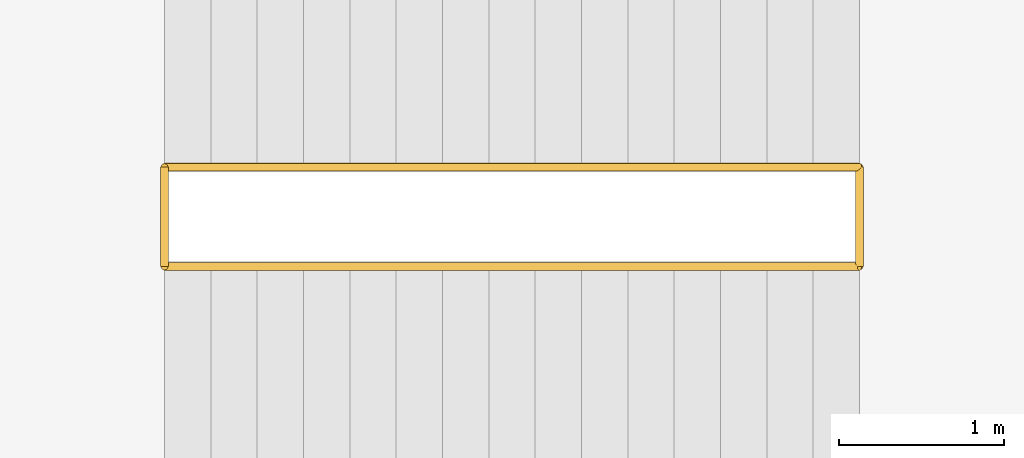
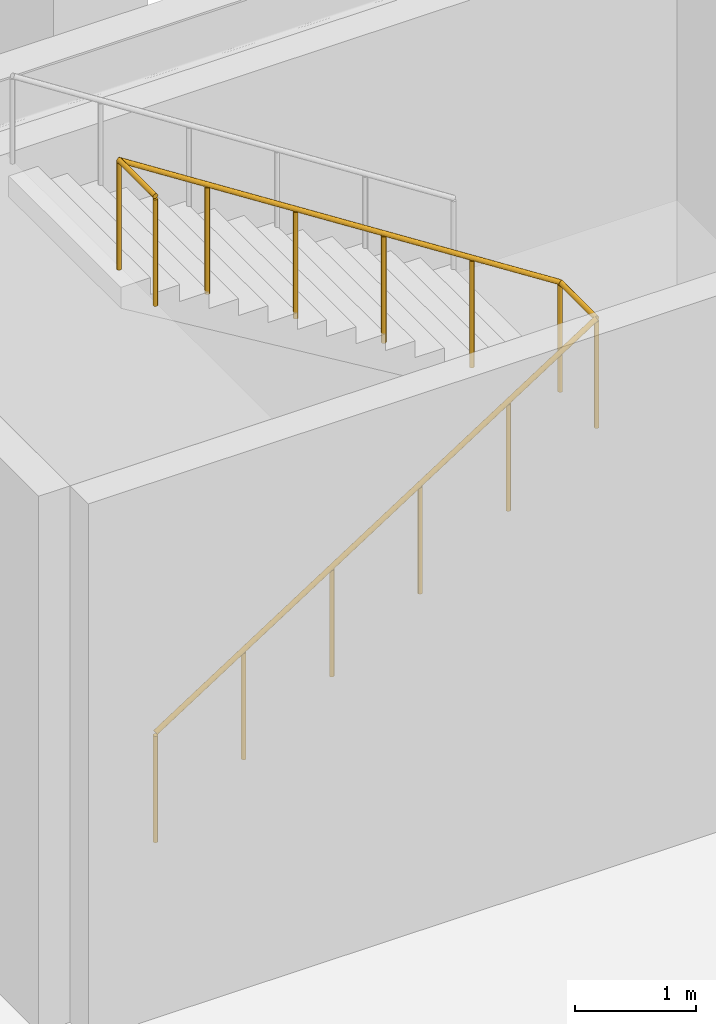
# One storey, part 157 of 159: 2 railings.
"""IFC4 building model written with IfcOpenShell, lengths in metres."""

from ifc_helpers import new_model, si_unit, derived_unit, direction, frame, origin, origin_2d, place, context, subcontext, project, spatial, circle, extrude, material, type_object, element, save


model = new_model("IFC4")

# Units and contexts
model_context = context("Model", 3, precision=1e-05, world=origin(), true_north=direction((0.0, 1.0)))
body_context = subcontext(model_context, "Body", "Model", "MODEL_VIEW")
ifc_project = project(units=[si_unit("LENGTHUNIT", "METRE"), si_unit("AREAUNIT", "SQUARE_METRE"), si_unit("VOLUMEUNIT", "CUBIC_METRE"), si_unit("PLANEANGLEUNIT", "RADIAN"), si_unit("MASSUNIT", "GRAM", prefix="KILO"), derived_unit("THERMALTRANSMITTANCEUNIT", [(si_unit("MASSUNIT", "GRAM", prefix="KILO"), 1), (si_unit("TIMEUNIT", "SECOND"), -3), (si_unit("THERMODYNAMICTEMPERATUREUNIT", "KELVIN"), -1)])], contexts=[model_context])

# Site, building, storey
site_placement = place(None, origin())
site = spatial("IfcSite", under=ifc_project, at=site_placement, CompositionType="ELEMENT")
building_placement = place(site_placement, origin())
building = spatial("IfcBuilding", under=site, at=building_placement, Name="Valcora Ridge Arena", CompositionType="ELEMENT")
storey_placement = place(building_placement, frame((0.0, 0.0, 6.0)))
storey = spatial("IfcBuildingStorey", under=building, at=storey_placement, Name="L01", CompositionType="ELEMENT", Elevation=6.0)

# Railings
ifc_material = material(Name="Galvanized painted steel ASTM A500 Grade B", Category="steel")
railing_type = type_object("IfcRailingType", Name="TY-RAILING-GRD-STAIR-1120", PredefinedType="GUARDRAIL", material=ifc_material)
railing_1_placement = place(storey_placement, frame((147.909912109375, 127.5, 0.0)))
element("IfcRailing", 1, at=railing_1_placement, inside=storey, type_object=railing_type, Name="GRD-STAIR-1120 RAL-SG-0085", PredefinedType="GUARDRAIL", context=body_context, shape_type="SweptSolid", body=[
    extrude(circle(Radius=0.02392578125, at=origin_2d()), frame((0.0, 0.0, 1.09619140625), z_axis=(0.841194361566, 0.0, 0.540732878665), x_axis=(0.0, 1.0, 0.0)), (0.0, 0.0, 1.0), 4.9931640625),
    extrude(circle(Radius=0.02392578125, at=origin_2d()), frame((4.2001953125, 0.0, 3.7958984375), z_axis=(0.0, 1.0, 0.0), x_axis=(-1.0, 0.0, 0.0)), (0.0, 0.0, 1.0), 0.60009765625),
    extrude(circle(Radius=0.02392578125, at=origin_2d()), frame((4.2001953125, 0.60009765625, 3.7958984375), z_axis=(-0.841194361566, 0.0, 0.540732878665), x_axis=(0.0, -1.0, 0.0)), (0.0, 0.0, 1.0), 4.9931640625),
    extrude(circle(Radius=0.02099609375, at=origin_2d()), origin(), (0.0, 0.0, 1.0), 1.072021484375),
    extrude(circle(Radius=0.02099609375, at=origin_2d()), frame((0.840087890625, 0.0, 0.5400390625)), (0.0, 0.0, 1.0), 1.072021484375),
    extrude(circle(Radius=0.02099609375, at=origin_2d()), frame((1.68017578125, 0.0, 1.080078125)), (0.0, 0.0, 1.0), 1.072021484375),
    extrude(circle(Radius=0.02099609375, at=origin_2d()), frame((2.52001953125, 0.0, 1.619873046875)), (0.0, 0.0, 1.0), 1.072021484375),
    extrude(circle(Radius=0.02099609375, at=origin_2d()), frame((3.360107421875, 0.0, 2.159912109375)), (0.0, 0.0, 1.0), 1.072021484375),
    extrude(circle(Radius=0.02099609375, at=origin_2d()), frame((4.2001953125, 0.0, 2.699951171875)), (0.0, 0.0, 1.0), 1.072021484375),
    extrude(circle(Radius=0.02099609375, at=origin_2d()), frame((4.2001953125, 0.60009765625, 2.699951171875)), (0.0, 0.0, 1.0), 1.072021484375),
    extrude(circle(Radius=0.02099609375, at=origin_2d()), frame((3.360107421875, 0.60009765625, 3.239990234375)), (0.0, 0.0, 1.0), 1.072021484375),
    extrude(circle(Radius=0.02099609375, at=origin_2d()), frame((2.52001953125, 0.60009765625, 3.780029296875)), (0.0, 0.0, 1.0), 1.072021484375),
    extrude(circle(Radius=0.02099609375, at=origin_2d()), frame((1.68017578125, 0.60009765625, 4.31982421875)), (0.0, 0.0, 1.0), 1.072021484375),
    extrude(circle(Radius=0.02099609375, at=origin_2d()), frame((0.840087890625, 0.60009765625, 4.85986328125)), (0.0, 0.0, 1.0), 1.072021484375),
    extrude(circle(Radius=0.02099609375, at=origin_2d()), frame((0.0, 0.60009765625, 5.39990234375)), (0.0, 0.0, 1.0), 1.072021484375),
])
railing_2_placement = place(storey_placement, frame((147.909912109375, 127.5, 5.39990234375)))
element("IfcRailing", 2, at=railing_2_placement, inside=storey, type_object=railing_type, Name="GRD-STAIR-1120 RAL-SG-0086", PredefinedType="GUARDRAIL", context=body_context, shape_type="SweptSolid", body=[
    extrude(circle(Radius=0.02392578125, at=origin_2d()), frame((0.0, 0.0, 1.09619140625), z_axis=(0.0, 1.0, 0.0), x_axis=(-1.0, 0.0, 0.0)), (0.0, 0.0, 1.0), 0.60009765625),
    extrude(circle(Radius=0.02099609375, at=origin_2d()), origin(), (0.0, 0.0, 1.0), 1.072021484375),
    extrude(circle(Radius=0.02099609375, at=origin_2d()), frame((0.0, 0.60009765625, 0.0)), (0.0, 0.0, 1.0), 1.072021484375),
])

save(model, "model.ifc")
